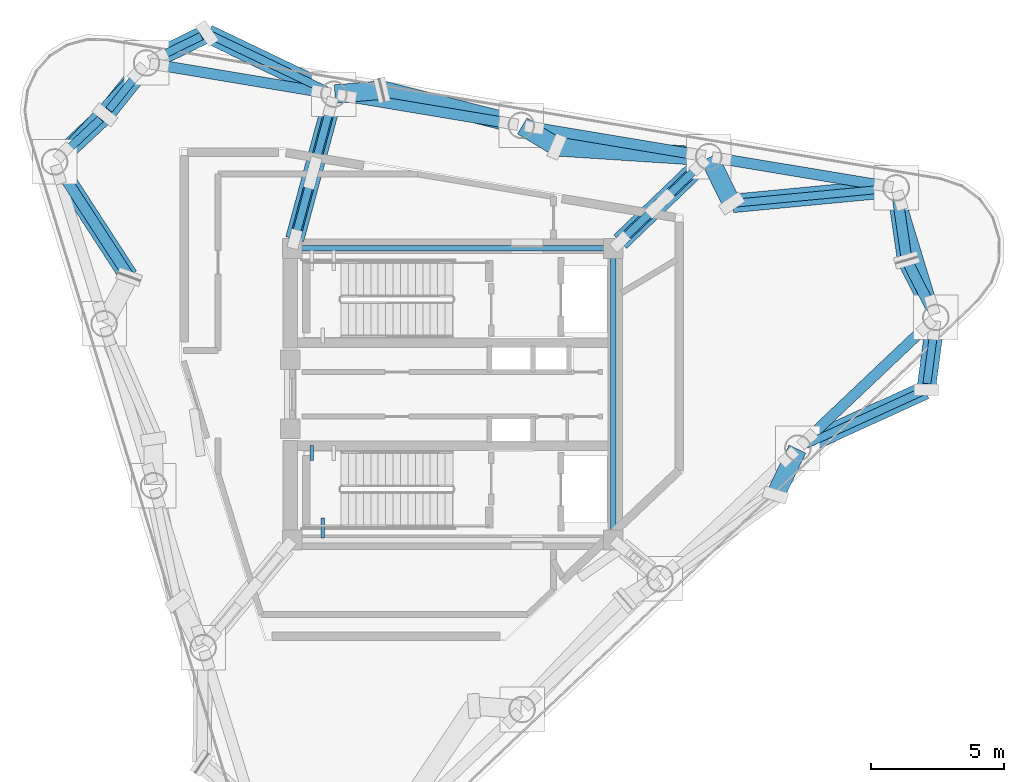
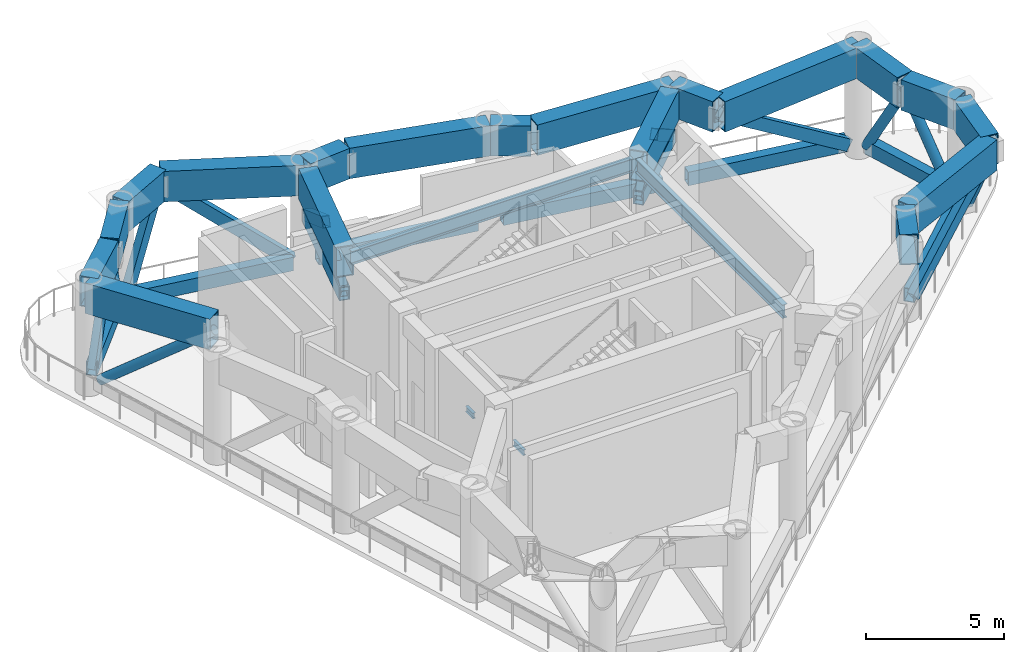
# One storey, part 2 of 9: 23 members, 22 beams.
"""IFC4 building model written with IfcOpenShell, lengths in metres."""

from ifc_helpers import new_model, si_unit, direction, frame, origin, origin_2d, place, context, subcontext, project, spatial, hollow_rectangle, hollow_circle, i_section, extrude, source, transform, mapped, material, material_profile, profile_set, type_object, element, save


model = new_model("IFC4")

# Units and contexts
model_context = context("Model", 3, precision=1e-05, world=origin(), true_north=direction((0.0, 1.0)))
body_context = subcontext(model_context, "Body", "Model", "MODEL_VIEW")
ifc_project = project(units=[si_unit("LENGTHUNIT", "METRE"), si_unit("AREAUNIT", "SQUARE_METRE"), si_unit("VOLUMEUNIT", "CUBIC_METRE"), si_unit("PLANEANGLEUNIT", "RADIAN"), si_unit("MASSUNIT", "GRAM", prefix="KILO")], contexts=[model_context])

# Site, building, storey
site_placement = place(None, origin())
site = spatial("IfcSite", under=ifc_project, at=site_placement, CompositionType="ELEMENT")
building_placement = place(site_placement, origin())
building = spatial("IfcBuilding", under=site, at=building_placement, Name="Yunling Apex Tower", CompositionType="ELEMENT")
storey_placement = place(building_placement, frame((0.0, 0.0, 252.449951171875)))
storey = spatial("IfcBuildingStorey", under=building, at=storey_placement, Name="RF7", CompositionType="ELEMENT", Elevation=252.449951171875)

# Beams
ifc_material_1 = material(Name="Steel Q355B", Category="steel")
ifc_material_profile_1 = material_profile(ifc_material_1, i_section(OverallWidth=0.125, OverallDepth=0.25, WebThickness=0.006103515625, FlangeThickness=0.009033203125, FilletRadius=0.011962890625, at=origin_2d()))
ifc_profile_set_1 = profile_set([ifc_material_profile_1], Name="Steel Q355B")
beam_type_1 = type_object("IfcBeamType", Name="BL-LNT-1", PredefinedType="LINTEL", material=ifc_profile_set_1)
shared_shape_1 = source(origin(), body_context, "Body", "SweptSolid", [
    extrude(i_section(OverallWidth=0.125, OverallDepth=0.25, WebThickness=0.006103515625, FlangeThickness=0.009033203125, FilletRadius=0.011962890625, at=origin_2d()), origin(), (0.0, 0.0, 1.0), 0.760009765625),
])
beam_1_placement = place(storey_placement, frame((-4.905029296875, -5.419921875, 2.22998046875), z_axis=(0.0, 1.0, 0.0), x_axis=(-1.0, 0.0, 0.0)))
element("IfcBeam", 1, at=beam_1_placement, inside=storey, type_object=beam_type_1, Name="RF7 ST-2 Landing Bearing Corbel 1-3", PredefinedType="LINTEL", context=body_context, shape_type="MappedRepresentation", body=[
    mapped(shared_shape_1, transform((0.0, 0.0, 0.0), scale=1.0)),
])
shared_shape_2 = source(origin(), body_context, "Body", "SweptSolid", [
    extrude(i_section(OverallWidth=0.125, OverallDepth=0.25, WebThickness=0.006103515625, FlangeThickness=0.009033203125, FilletRadius=0.011962890625, at=origin_2d()), origin(), (0.0, 0.0, 1.0), 0.550048828125),
])
beam_2_placement = place(storey_placement, frame((-5.320068359375, -1.93994140625, 2.22998046875), z_axis=(0.0, -1.0, 0.0), x_axis=(1.0, 0.0, 0.0)))
element("IfcBeam", 2, at=beam_2_placement, inside=storey, type_object=beam_type_1, Name="RF7 ST-2 Landing Bearing Corbel 1-1", PredefinedType="LINTEL", context=body_context, shape_type="MappedRepresentation", body=[
    mapped(shared_shape_2, transform((0.0, 0.0, 0.0), scale=1.0)),
])
ifc_material_profile_2 = material_profile(ifc_material_1, i_section(OverallWidth=0.199951171875, OverallDepth=0.60009765625, WebThickness=0.010986328125, FlangeThickness=0.01708984375, FilletRadius=0.02197265625, at=origin_2d()))
ifc_profile_set_2 = profile_set([ifc_material_profile_2], Name="Steel Q355B")
beam_type_2 = type_object("IfcBeamType", Name="BG-PRI-5", PredefinedType="USERDEFINED", material=ifc_profile_set_2)
shared_shape_3 = source(origin(), body_context, "Body", "SweptSolid", [
    extrude(i_section(OverallWidth=0.199951171875, OverallDepth=0.60009765625, WebThickness=0.010986328125, FlangeThickness=0.01708984375, FilletRadius=0.02197265625, at=origin_2d()), origin(), (0.0, 0.0, 1.0), 11.7998046875),
])
beam_3_placement = place(storey_placement, frame((5.89990234375, 5.5, 4.6201171875), z_axis=(-1.0, 0.0, 0.0), x_axis=(0.0, -1.0, 0.0)))
element("IfcBeam", 3, at=beam_3_placement, inside=storey, type_object=beam_type_2, Name="RF7 Core Ring Tie Beam 3", ObjectType="GIRDER", PredefinedType="USERDEFINED", context=body_context, shape_type="MappedRepresentation", body=[
    mapped(shared_shape_3, transform((0.0, 0.0, 0.0), scale=1.0)),
])
shared_shape_4 = source(origin(), body_context, "Body", "SweptSolid", [
    extrude(i_section(OverallWidth=0.199951171875, OverallDepth=0.60009765625, WebThickness=0.010986328125, FlangeThickness=0.01708984375, FilletRadius=0.02197265625, at=origin_2d()), origin(), (0.0, 0.0, 1.0), 10.7001953125),
])
beam_4_placement = place(storey_placement, frame((6.050048828125, -5.35009765625, 4.6201171875), z_axis=(0.0, 1.0, 0.0), x_axis=(-1.0, 0.0, 0.0)))
element("IfcBeam", 4, at=beam_4_placement, inside=storey, type_object=beam_type_2, Name="RF7 Core Ring Tie Beam 2", ObjectType="GIRDER", PredefinedType="USERDEFINED", context=body_context, shape_type="MappedRepresentation", body=[
    mapped(shared_shape_4, transform((0.0, 0.0, 0.0), scale=1.0)),
])

# Members
ifc_material_profile_3 = material_profile(ifc_material_1, hollow_rectangle(XDim=0.39990234375, YDim=0.60009765625, WallThickness=0.030029296875, at=origin_2d()))
ifc_profile_set_3 = profile_set([ifc_material_profile_3], Name="Steel Q355B")
member_type_1 = type_object("IfcMemberType", Name="BT-CHD-2", PredefinedType="CHORD", material=ifc_profile_set_3)
shared_shape_5 = source(origin(), body_context, "Body", "SweptSolid", [
    extrude(hollow_rectangle(XDim=0.39990234375, YDim=0.60009765625, WallThickness=0.030029296875, at=origin_2d()), origin(), (0.0, 0.0, 1.0), 6.177490234375),
])
for number, where, z_axis, x_axis, name in (
    (5, (13.3642578125, -1.691650390625, 0.550048828125), (0.725841554244, 0.687861932463, 0.0), (-0.687861932463, 0.725841554244, 0.0), "RF7 Belt-Truss Bottom Chord 4"),
    (6, (-4.965087890625, 11.3916015625, 0.550048828125), (-0.986405670812, 0.164328489893, 0.0), (-0.164328489893, -0.986405670812, 0.0), "RF7 Belt-Truss Bottom Chord 9"),
):
    element("IfcMember", number, at=place(storey_placement, frame(where, z_axis=z_axis, x_axis=x_axis)), inside=storey, type_object=member_type_1, Name=name, PredefinedType="CHORD", context=body_context, shape_type="MappedRepresentation", body=[
        mapped(shared_shape_5, transform((0.0, 0.0, 0.0), scale=1.0)),
    ])
shared_shape_6 = source(origin(), body_context, "Body", "SweptSolid", [
    extrude(hollow_rectangle(XDim=0.39990234375, YDim=0.60009765625, WallThickness=0.030029296875, at=origin_2d()), origin(), (0.0, 0.0, 1.0), 6.17724609375),
])
for number, where, z_axis, x_axis, name in (
    (7, (16.226806640625, 7.8603515625, 0.550048828125), (-0.986404603529, 0.164334896285, 0.0), (-0.164334896285, -0.986404603529, 0.0), "RF7 Belt-Truss Bottom Chord 6"),
    (8, (9.162841796875, 9.037353515625, 0.550048828125), (-0.986404603529, 0.164334896285, 0.0), (-0.164334896285, -0.986404603529, 0.0), "RF7 Belt-Truss Bottom Chord 7"),
    (9, (2.098876953125, 10.21435546875, 0.550048828125), (-0.986398196183, 0.164373351147, 0.0), (-0.164373351147, -0.986398196183, 0.0), "RF7 Belt-Truss Bottom Chord 8"),
):
    element("IfcMember", number, at=place(storey_placement, frame(where, z_axis=z_axis, x_axis=x_axis)), inside=storey, type_object=member_type_1, Name=name, PredefinedType="CHORD", context=body_context, shape_type="MappedRepresentation", body=[
        mapped(shared_shape_6, transform((0.0, 0.0, 0.0), scale=1.0)),
    ])
shared_shape_7 = source(origin(), body_context, "Body", "SweptSolid", [
    extrude(hollow_rectangle(XDim=0.39990234375, YDim=0.60009765625, WallThickness=0.030029296875, at=origin_2d()), origin(), (0.0, 0.0, 1.0), 4.12255859375),
])
member_1_placement = place(storey_placement, frame((18.061279296875, 3.366455078125, 0.550048828125), z_axis=(-0.292320845838, 0.956320303606, 0.0), x_axis=(-0.956320303606, -0.292320845838, 0.0)))
element("IfcMember", 10, at=member_1_placement, inside=storey, type_object=member_type_1, Name="RF7 Belt-Truss Bottom Chord 5", PredefinedType="CHORD", context=body_context, shape_type="MappedRepresentation", body=[
    mapped(shared_shape_7, transform((0.0, 0.0, 0.0), scale=1.0)),
])
shared_shape_8 = source(origin(), body_context, "Body", "SweptSolid", [
    extrude(hollow_rectangle(XDim=0.39990234375, YDim=0.60009765625, WallThickness=0.030029296875, at=origin_2d()), origin(), (0.0, 0.0, 1.0), 4.10546875),
])
member_2_placement = place(storey_placement, frame((-11.878662109375, 12.127197265625, 0.550048828125), z_axis=(-0.680549174364, -0.732702409763, 0.0), x_axis=(0.732702409763, -0.680549174364, 0.0)))
element("IfcMember", 11, at=member_2_placement, inside=storey, type_object=member_type_1, Name="RF7 Belt-Truss Bottom Chord 10", PredefinedType="CHORD", context=body_context, shape_type="MappedRepresentation", body=[
    mapped(shared_shape_8, transform((0.0, 0.0, 0.0), scale=1.0)),
])

# Beams
ifc_material_2 = material(Name="Steel Q390GJC", Category="steel")
ifc_material_profile_4 = material_profile(ifc_material_2, hollow_rectangle(XDim=0.699951171875, YDim=1.35009765625, WallThickness=0.044921875, at=origin_2d()))
ifc_profile_set_4 = profile_set([ifc_material_profile_4], Name="Steel Q390GJC")
beam_type_3 = type_object("IfcBeamType", Name="BTRNG-2", PredefinedType="USERDEFINED", material=ifc_profile_set_4)
shared_shape_9 = source(origin(), body_context, "Body", "SweptSolid", [
    extrude(hollow_rectangle(XDim=0.699951171875, YDim=1.35009765625, WallThickness=0.044921875, at=origin_2d()), origin(), (0.0, 0.0, 1.0), 1.883544921875),
])
beam_5_placement = place(storey_placement, frame((12.176025390625, -3.764892578125, 4.2451171875), z_axis=(0.432010371871, 0.901868637106, 0.0), x_axis=(-0.901868637106, 0.432010371871, 0.0)))
element("IfcBeam", 12, at=beam_5_placement, inside=storey, type_object=beam_type_3, Name="RF7 Panel-Split Box Ring Transfer Girder 13", ObjectType="GIRDER", PredefinedType="USERDEFINED", context=body_context, shape_type="MappedRepresentation", body=[
    mapped(shared_shape_9, transform((0.0, 0.0, 0.0), scale=1.0)),
])
shared_shape_10 = source(origin(), body_context, "Body", "SweptSolid", [
    extrude(hollow_rectangle(XDim=0.699951171875, YDim=1.35009765625, WallThickness=0.044921875, at=origin_2d()), origin(), (0.0, 0.0, 1.0), 5.230224609375),
])
beam_6_placement = place(storey_placement, frame((13.04345703125, -2.013427734375, 4.2451171875), z_axis=(0.910064096749, 0.414467537702, 0.0), x_axis=(-0.414467537702, 0.910064096749, 0.0)))
element("IfcBeam", 13, at=beam_6_placement, inside=storey, type_object=beam_type_3, Name="RF7 Panel-Split Box Ring Transfer Girder 14", ObjectType="GIRDER", PredefinedType="USERDEFINED", context=body_context, shape_type="MappedRepresentation", body=[
    mapped(shared_shape_10, transform((0.0, 0.0, 0.0), scale=1.0)),
])
shared_shape_11 = source(origin(), body_context, "Body", "SweptSolid", [
    extrude(hollow_rectangle(XDim=0.699951171875, YDim=1.35009765625, WallThickness=0.044921875, at=origin_2d()), origin(), (0.0, 0.0, 1.0), 2.66943359375),
])
beam_7_placement = place(storey_placement, frame((17.844970703125, 0.21044921875, 4.2451171875), z_axis=(0.13297840109, 0.991118935771, 0.0), x_axis=(-0.991118935771, 0.13297840109, 0.0)))
element("IfcBeam", 14, at=beam_7_placement, inside=storey, type_object=beam_type_3, Name="RF7 Panel-Split Box Ring Transfer Girder 15", ObjectType="GIRDER", PredefinedType="USERDEFINED", context=body_context, shape_type="MappedRepresentation", body=[
    mapped(shared_shape_11, transform((0.0, 0.0, 0.0), scale=1.0)),
])
shared_shape_12 = source(origin(), body_context, "Body", "SweptSolid", [
    extrude(hollow_rectangle(XDim=0.699951171875, YDim=1.35009765625, WallThickness=0.044921875, at=origin_2d()), origin(), (0.0, 0.0, 1.0), 2.33837890625),
])
beam_8_placement = place(storey_placement, frame((18.187255859375, 2.931640625, 4.2451171875), z_axis=(-0.452800906115, 0.891611652807, 0.0), x_axis=(-0.891611652807, -0.452800906115, 0.0)))
element("IfcBeam", 15, at=beam_8_placement, inside=storey, type_object=beam_type_3, Name="RF7 Panel-Split Box Ring Transfer Girder 16", ObjectType="GIRDER", PredefinedType="USERDEFINED", context=body_context, shape_type="MappedRepresentation", body=[
    mapped(shared_shape_12, transform((0.0, 0.0, 0.0), scale=1.0)),
])
shared_shape_13 = source(origin(), body_context, "Body", "SweptSolid", [
    extrude(hollow_rectangle(XDim=0.699951171875, YDim=1.35009765625, WallThickness=0.044921875, at=origin_2d()), origin(), (0.0, 0.0, 1.0), 2.67578125),
])
beam_9_placement = place(storey_placement, frame((17.1044921875, 5.092041015625, 4.2451171875), z_axis=(-0.144435320204, 0.989514243595, 0.0), x_axis=(-0.989514243595, -0.144435320204, 0.0)))
element("IfcBeam", 16, at=beam_9_placement, inside=storey, type_object=beam_type_3, Name="RF7 Panel-Split Box Ring Transfer Girder 17", ObjectType="GIRDER", PredefinedType="USERDEFINED", context=body_context, shape_type="MappedRepresentation", body=[
    mapped(shared_shape_13, transform((0.0, 0.0, 0.0), scale=1.0)),
])
shared_shape_14 = source(origin(), body_context, "Body", "SweptSolid", [
    extrude(hollow_rectangle(XDim=0.699951171875, YDim=1.35009765625, WallThickness=0.044921875, at=origin_2d()), origin(), (0.0, 0.0, 1.0), 6.14404296875),
])
beam_10_placement = place(storey_placement, frame((16.67236328125, 7.775634765625, 4.2451171875), z_axis=(-0.995502970184, -0.094730334927, 0.0), x_axis=(0.094730334927, -0.995502970184, 0.0)))
element("IfcBeam", 17, at=beam_10_placement, inside=storey, type_object=beam_type_3, Name="RF7 Panel-Split Box Ring Transfer Girder 18", ObjectType="GIRDER", PredefinedType="USERDEFINED", context=body_context, shape_type="MappedRepresentation", body=[
    mapped(shared_shape_14, transform((0.0, 0.0, 0.0), scale=1.0)),
])
shared_shape_15 = source(origin(), body_context, "Body", "SweptSolid", [
    extrude(hollow_rectangle(XDim=0.699951171875, YDim=1.35009765625, WallThickness=0.044921875, at=origin_2d()), origin(), (0.0, 0.0, 1.0), 1.888427734375),
])
beam_11_placement = place(storey_placement, frame((10.49853515625, 7.225830078125, 4.2451171875), z_axis=(-0.440997067595, 0.8975085439, 0.0), x_axis=(-0.8975085439, -0.440997067595, 0.0)))
element("IfcBeam", 18, at=beam_11_placement, inside=storey, type_object=beam_type_3, Name="RF7 Panel-Split Box Ring Transfer Girder 19", ObjectType="GIRDER", PredefinedType="USERDEFINED", context=body_context, shape_type="MappedRepresentation", body=[
    mapped(shared_shape_15, transform((0.0, 0.0, 0.0), scale=1.0)),
])
shared_shape_16 = source(origin(), body_context, "Body", "SweptSolid", [
    extrude(hollow_rectangle(XDim=0.699951171875, YDim=1.35009765625, WallThickness=0.044921875, at=origin_2d()), origin(), (0.0, 0.0, 1.0), 5.657958984375),
])
beam_12_placement = place(storey_placement, frame((9.6083984375, 8.958984375, 4.2451171875), z_axis=(-0.997908821596, 0.064637324977, 0.0), x_axis=(-0.064637324977, -0.997908821596, 0.0)))
element("IfcBeam", 19, at=beam_12_placement, inside=storey, type_object=beam_type_3, Name="RF7 Panel-Split Box Ring Transfer Girder 20", ObjectType="GIRDER", PredefinedType="USERDEFINED", context=body_context, shape_type="MappedRepresentation", body=[
    mapped(shared_shape_16, transform((0.0, 0.0, 0.0), scale=1.0)),
])
shared_shape_17 = source(origin(), body_context, "Body", "SweptSolid", [
    extrude(hollow_rectangle(XDim=0.699951171875, YDim=1.35009765625, WallThickness=0.044921875, at=origin_2d()), origin(), (0.0, 0.0, 1.0), 1.482177734375),
])
beam_13_placement = place(storey_placement, frame((3.887939453125, 9.347900390625, 4.2451171875), z_axis=(-0.856546759435, 0.51606942256, 0.0), x_axis=(-0.51606942256, -0.856546759435, 0.0)))
element("IfcBeam", 20, at=beam_13_placement, inside=storey, type_object=beam_type_3, Name="RF7 Panel-Split Box Ring Transfer Girder 21", ObjectType="GIRDER", PredefinedType="USERDEFINED", context=body_context, shape_type="MappedRepresentation", body=[
    mapped(shared_shape_17, transform((0.0, 0.0, 0.0), scale=1.0)),
])
shared_shape_18 = source(origin(), body_context, "Body", "SweptSolid", [
    extrude(hollow_rectangle(XDim=0.699951171875, YDim=1.35009765625, WallThickness=0.044921875, at=origin_2d()), origin(), (0.0, 0.0, 1.0), 5.341796875),
])
beam_14_placement = place(storey_placement, frame((2.54541015625, 10.143310546875, 4.2451171875), z_axis=(-0.969379613356, 0.245567027938, 0.0), x_axis=(-0.245567027938, -0.969379613356, 0.0)))
element("IfcBeam", 21, at=beam_14_placement, inside=storey, type_object=beam_type_3, Name="RF7 Panel-Split Box Ring Transfer Girder 22", ObjectType="GIRDER", PredefinedType="USERDEFINED", context=body_context, shape_type="MappedRepresentation", body=[
    mapped(shared_shape_18, transform((0.0, 0.0, 0.0), scale=1.0)),
])
shared_shape_19 = source(origin(), body_context, "Body", "SweptSolid", [
    extrude(hollow_rectangle(XDim=0.699951171875, YDim=1.35009765625, WallThickness=0.044921875, at=origin_2d()), origin(), (0.0, 0.0, 1.0), 1.734619140625),
])
beam_15_placement = place(storey_placement, frame((-2.711669921875, 11.46142578125, 4.2451171875), z_axis=(-0.996379765591, -0.08501389722, 0.0), x_axis=(0.08501389722, -0.996379765591, 0.0)))
element("IfcBeam", 22, at=beam_15_placement, inside=storey, type_object=beam_type_3, Name="RF7 Panel-Split Box Ring Transfer Girder 23", ObjectType="GIRDER", PredefinedType="USERDEFINED", context=body_context, shape_type="MappedRepresentation", body=[
    mapped(shared_shape_19, transform((0.0, 0.0, 0.0), scale=1.0)),
])
shared_shape_20 = source(origin(), body_context, "Body", "SweptSolid", [
    extrude(hollow_rectangle(XDim=0.699951171875, YDim=1.35009765625, WallThickness=0.044921875, at=origin_2d()), origin(), (0.0, 0.0, 1.0), 5.22607421875),
])
beam_16_placement = place(storey_placement, frame((-4.515869140625, 11.327880859375, 4.2451171875), z_axis=(-0.901930155128, 0.431881922834, 0.0), x_axis=(-0.431881922834, -0.901930155128, 0.0)))
element("IfcBeam", 23, at=beam_16_placement, inside=storey, type_object=beam_type_3, Name="RF7 Panel-Split Box Ring Transfer Girder 24", ObjectType="GIRDER", PredefinedType="USERDEFINED", context=body_context, shape_type="MappedRepresentation", body=[
    mapped(shared_shape_20, transform((0.0, 0.0, 0.0), scale=1.0)),
])
shared_shape_21 = source(origin(), body_context, "Body", "SweptSolid", [
    extrude(hollow_rectangle(XDim=0.699951171875, YDim=1.35009765625, WallThickness=0.044921875, at=origin_2d()), origin(), (0.0, 0.0, 1.0), 2.456298828125),
])
beam_17_placement = place(storey_placement, frame((-9.301513671875, 13.584716796875, 4.2451171875), z_axis=(-0.898230915652, -0.439523858472, 0.0), x_axis=(0.439523858472, -0.898230915652, 0.0)))
element("IfcBeam", 24, at=beam_17_placement, inside=storey, type_object=beam_type_3, Name="RF7 Panel-Split Box Ring Transfer Girder 25", ObjectType="GIRDER", PredefinedType="USERDEFINED", context=body_context, shape_type="MappedRepresentation", body=[
    mapped(shared_shape_21, transform((0.0, 0.0, 0.0), scale=1.0)),
])
shared_shape_22 = source(origin(), body_context, "Body", "SweptSolid", [
    extrude(hollow_rectangle(XDim=0.699951171875, YDim=1.35009765625, WallThickness=0.044921875, at=origin_2d()), origin(), (0.0, 0.0, 1.0), 2.4248046875),
])
beam_18_placement = place(storey_placement, frame((-11.56884765625, 12.456298828125, 4.2451171875), z_axis=(-0.625149249349, -0.780505231269, 0.0), x_axis=(0.780505231269, -0.625149249349, 0.0)))
element("IfcBeam", 25, at=beam_18_placement, inside=storey, type_object=beam_type_3, Name="RF7 Panel-Split Box Ring Transfer Girder 26", ObjectType="GIRDER", PredefinedType="USERDEFINED", context=body_context, shape_type="MappedRepresentation", body=[
    mapped(shared_shape_22, transform((0.0, 0.0, 0.0), scale=1.0)),
])
shared_shape_23 = source(origin(), body_context, "Body", "SweptSolid", [
    extrude(hollow_rectangle(XDim=0.699951171875, YDim=1.35009765625, WallThickness=0.044921875, at=origin_2d()), origin(), (0.0, 0.0, 1.0), 2.517822265625),
])
beam_19_placement = place(storey_placement, frame((-13.138916015625, 10.505126953125, 4.2451171875), z_axis=(-0.73055848684, -0.682850127997, 0.0), x_axis=(0.682850127997, -0.73055848684, 0.0)))
element("IfcBeam", 26, at=beam_19_placement, inside=storey, type_object=beam_type_3, Name="RF7 Panel-Split Box Ring Transfer Girder 27", ObjectType="GIRDER", PredefinedType="USERDEFINED", context=body_context, shape_type="MappedRepresentation", body=[
    mapped(shared_shape_23, transform((0.0, 0.0, 0.0), scale=1.0)),
])
shared_shape_24 = source(origin(), body_context, "Body", "SweptSolid", [
    extrude(hollow_rectangle(XDim=0.699951171875, YDim=1.35009765625, WallThickness=0.044921875, at=origin_2d()), origin(), (0.0, 0.0, 1.0), 5.0869140625),
])
beam_20_placement = place(storey_placement, frame((-14.985595703125, 8.72509765625, 4.2451171875), z_axis=(0.543955534243, -0.839114042766, 0.0), x_axis=(0.839114042766, 0.543955534243, 0.0)))
element("IfcBeam", 27, at=beam_20_placement, inside=storey, type_object=beam_type_3, Name="RF7 Panel-Split Box Ring Transfer Girder 28", ObjectType="GIRDER", PredefinedType="USERDEFINED", context=body_context, shape_type="MappedRepresentation", body=[
    mapped(shared_shape_24, transform((0.0, 0.0, 0.0), scale=1.0)),
])

# Members
ifc_material_profile_5 = material_profile(ifc_material_1, hollow_rectangle(XDim=0.300048828125, YDim=0.5, WallThickness=0.02197265625, at=origin_2d()))
ifc_profile_set_5 = profile_set([ifc_material_profile_5], Name="Steel Q355B")
member_type_2 = type_object("IfcMemberType", Name="BR-BLT-2", PredefinedType="BRACE", material=ifc_profile_set_5)
shared_shape_25 = source(origin(), body_context, "Body", "SweptSolid", [
    extrude(hollow_rectangle(XDim=0.300048828125, YDim=0.5, WallThickness=0.02197265625, at=origin_2d()), origin(), (0.0, 0.0, 1.0), 4.32080078125),
])
member_3_placement = place(storey_placement, frame((18.14013671875, 2.410400390625, 0.550048828125), z_axis=(-0.068934135436, -0.513728819167, 0.855178803134), x_axis=(0.991117116742, -0.132991958032, 0.0)))
element("IfcMember", 28, at=member_3_placement, inside=storey, type_object=member_type_2, Name="RF7 Belt-Truss Diagonal 5-1", PredefinedType="BRACE", context=body_context, shape_type="MappedRepresentation", body=[
    mapped(shared_shape_25, transform((0.0, 0.0, 0.0), scale=1.0)),
])
shared_shape_26 = source(origin(), body_context, "Body", "SweptSolid", [
    extrude(hollow_rectangle(XDim=0.300048828125, YDim=0.5, WallThickness=0.02197265625, at=origin_2d()), origin(), (0.0, 0.0, 1.0), 6.057861328125),
])
member_4_placement = place(storey_placement, frame((13.452880859375, -1.826904296875, 0.550048828125), z_axis=(0.72116319841, 0.328420638417, 0.609970102153), x_axis=(-0.414450421657, 0.910071891659, 0.0)))
element("IfcMember", 29, at=member_4_placement, inside=storey, type_object=member_type_2, Name="RF7 Belt-Truss Diagonal 5-2", PredefinedType="BRACE", context=body_context, shape_type="MappedRepresentation", body=[
    mapped(shared_shape_26, transform((0.0, 0.0, 0.0), scale=1.0)),
])
ifc_material_profile_6 = material_profile(ifc_material_1, hollow_circle(Radius=0.202880859375, WallThickness=0.01611328125, at=origin_2d()))
ifc_profile_set_6 = profile_set([ifc_material_profile_6], Name="Steel Q355B")
member_type_3 = type_object("IfcMemberType", Name="BR-PER-3", PredefinedType="BRACE", material=ifc_profile_set_6)
shared_shape_27 = source(origin(), body_context, "Body", "SweptSolid", [
    extrude(hollow_circle(Radius=0.202880859375, WallThickness=0.01611328125, at=origin_2d()), origin(), (0.0, 0.0, 1.0), 4.158935546875),
])
member_5_placement = place(storey_placement, frame((17.9833984375, 3.332763671875, 0.550048828125), z_axis=(-0.207750054808, 0.409218884449, 0.888470494354), x_axis=(-0.89167312384, -0.452679842959, 0.0)))
element("IfcMember", 30, at=member_5_placement, inside=storey, type_object=member_type_3, Name="RF7 Belt-Truss Diagonal 6-1", PredefinedType="BRACE", context=body_context, shape_type="MappedRepresentation", body=[
    mapped(shared_shape_27, transform((0.0, 0.0, 0.0), scale=1.0)),
])
shared_shape_28 = source(origin(), body_context, "Body", "SweptSolid", [
    extrude(hollow_circle(Radius=0.202880859375, WallThickness=0.01611328125, at=origin_2d()), origin(), (0.0, 0.0, 1.0), 4.323974609375),
])
member_6_placement = place(storey_placement, frame((16.782958984375, 7.29443359375, 0.550048828125), z_axis=(0.075037950555, -0.513916799062, 0.854551829685), x_axis=(0.989507739672, 0.14447987102, 0.0)))
element("IfcMember", 31, at=member_6_placement, inside=storey, type_object=member_type_3, Name="RF7 Belt-Truss Diagonal 6-2", PredefinedType="BRACE", context=body_context, shape_type="MappedRepresentation", body=[
    mapped(shared_shape_28, transform((0.0, 0.0, 0.0), scale=1.0)),
])
shared_shape_29 = source(origin(), body_context, "Body", "SweptSolid", [
    extrude(hollow_rectangle(XDim=0.300048828125, YDim=0.5, WallThickness=0.02197265625, at=origin_2d()), origin(), (0.0, 0.0, 1.0), 6.8046875),
])
member_7_placement = place(storey_placement, frame((16.224365234375, 7.73291015625, 0.550048828125), z_axis=(-0.835942574321, -0.079507650315, 0.54302720556), x_axis=(0.094684078018, -0.995507370826, 0.0)))
element("IfcMember", 32, at=member_7_placement, inside=storey, type_object=member_type_2, Name="RF7 Belt-Truss Diagonal 7-1", PredefinedType="BRACE", context=body_context, shape_type="MappedRepresentation", body=[
    mapped(shared_shape_29, transform((0.0, 0.0, 0.0), scale=1.0)),
])
shared_shape_30 = source(origin(), body_context, "Body", "SweptSolid", [
    extrude(hollow_rectangle(XDim=0.300048828125, YDim=0.5, WallThickness=0.02197265625, at=origin_2d()), origin(), (0.0, 0.0, 1.0), 4.214111328125),
])
member_8_placement = place(storey_placement, frame((-11.103759765625, 12.702880859375, 0.550048828125), z_axis=(0.431890502982, 0.211339578119, 0.8768159306), x_axis=(-0.439534249668, 0.898225830941, 0.0)))
element("IfcMember", 33, at=member_8_placement, inside=storey, type_object=member_type_2, Name="RF7 Belt-Truss Diagonal 10-1", PredefinedType="BRACE", context=body_context, shape_type="MappedRepresentation", body=[
    mapped(shared_shape_30, transform((0.0, 0.0, 0.0), scale=1.0)),
])
shared_shape_31 = source(origin(), body_context, "Body", "SweptSolid", [
    extrude(hollow_rectangle(XDim=0.300048828125, YDim=0.5, WallThickness=0.02197265625, at=origin_2d()), origin(), (0.0, 0.0, 1.0), 6.054443359375),
])
member_9_placement = place(storey_placement, frame((-4.921630859375, 11.522216796875, 0.550048828125), z_axis=(-0.714493556326, 0.342105272976, 0.610297419436), x_axis=(-0.431857114704, -0.90194203388, 0.0)))
element("IfcMember", 34, at=member_9_placement, inside=storey, type_object=member_type_2, Name="RF7 Belt-Truss Diagonal 10-2", PredefinedType="BRACE", context=body_context, shape_type="MappedRepresentation", body=[
    mapped(shared_shape_31, transform((0.0, 0.0, 0.0), scale=1.0)),
])
shared_shape_32 = source(origin(), body_context, "Body", "SweptSolid", [
    extrude(hollow_rectangle(XDim=0.300048828125, YDim=0.5, WallThickness=0.02197265625, at=origin_2d()), origin(), (0.0, 0.0, 1.0), 4.19921875),
])
member_10_placement = place(storey_placement, frame((-11.85009765625, 12.10498046875, 0.550048828125), z_axis=(-0.297036773842, -0.370758173183, 0.879947459797), x_axis=(0.780426846811, -0.625247100574, 0.0)))
element("IfcMember", 35, at=member_10_placement, inside=storey, type_object=member_type_2, Name="RF7 Belt-Truss Diagonal 11-1", PredefinedType="BRACE", context=body_context, shape_type="MappedRepresentation", body=[
    mapped(shared_shape_32, transform((0.0, 0.0, 0.0), scale=1.0)),
])
shared_shape_33 = source(origin(), body_context, "Body", "SweptSolid", [
    extrude(hollow_rectangle(XDim=0.300048828125, YDim=0.5, WallThickness=0.02197265625, at=origin_2d()), origin(), (0.0, 0.0, 1.0), 4.243896484375),
])
member_11_placement = place(storey_placement, frame((-14.6494140625, 9.09326171875, 0.550048828125), z_axis=(0.359313022392, 0.335899573767, 0.870669643598), x_axis=(-0.682905587613, 0.730506645013, 0.0)))
element("IfcMember", 36, at=member_11_placement, inside=storey, type_object=member_type_2, Name="RF7 Belt-Truss Diagonal 11-2", PredefinedType="BRACE", context=body_context, shape_type="MappedRepresentation", body=[
    mapped(shared_shape_33, transform((0.0, 0.0, 0.0), scale=1.0)),
])
shared_shape_34 = source(origin(), body_context, "Body", "SweptSolid", [
    extrude(hollow_circle(Radius=0.202880859375, WallThickness=0.01611328125, at=origin_2d()), origin(), (0.0, 0.0, 1.0), 5.94482421875),
])
member_12_placement = place(storey_placement, frame((-14.740966796875, 8.347412109375, 0.550048828125), z_axis=(0.42615301653, -0.657319570453, 0.621550149869), x_axis=(0.839087403854, 0.543996625627, 0.0)))
element("IfcMember", 37, at=member_12_placement, inside=storey, type_object=member_type_3, Name="RF7 Belt-Truss Diagonal 12-1", PredefinedType="BRACE", context=body_context, shape_type="MappedRepresentation", body=[
    mapped(shared_shape_34, transform((0.0, 0.0, 0.0), scale=1.0)),
])

# Beam
shared_shape_35 = source(origin(), body_context, "Body", "SweptSolid", [
    extrude(hollow_rectangle(XDim=0.699951171875, YDim=1.35009765625, WallThickness=0.044921875, at=origin_2d()), origin(), (0.0, 0.0, 1.0), 4.139404296875),
])
beam_21_placement = place(storey_placement, frame((6.3095703125, 5.74951171875, 4.2451171875), z_axis=(0.721206968167, 0.692719646804, 0.0), x_axis=(-0.692719646804, 0.721206968167, 0.0)))
element("IfcBeam", 38, at=beam_21_placement, inside=storey, type_object=beam_type_3, Name="RF7 Radial Outrigger Top Girder 3", ObjectType="GIRDER", PredefinedType="USERDEFINED", context=body_context, shape_type="MappedRepresentation", body=[
    mapped(shared_shape_35, transform((0.0, 0.0, 0.0), scale=1.0)),
])

# Members
shared_shape_36 = source(origin(), body_context, "Body", "SweptSolid", [
    extrude(hollow_rectangle(XDim=0.39990234375, YDim=0.60009765625, WallThickness=0.030029296875, at=origin_2d()), origin(), (0.0, 0.0, 1.0), 4.139404296875),
])
member_13_placement = place(storey_placement, frame((6.3095703125, 5.74951171875, 2.820068359375), z_axis=(0.721206968167, 0.692719646804, 0.0), x_axis=(-0.692719646804, 0.721206968167, 0.0)))
element("IfcMember", 39, at=member_13_placement, inside=storey, type_object=member_type_1, Name="RF7 Radial Outrigger Lower Chord 3", PredefinedType="CHORD", context=body_context, shape_type="MappedRepresentation", body=[
    mapped(shared_shape_36, transform((0.0, 0.0, 0.0), scale=1.0)),
])
ifc_material_profile_7 = material_profile(ifc_material_1, hollow_rectangle(XDim=0.300048828125, YDim=0.449951171875, WallThickness=0.02001953125, at=origin_2d()))
ifc_profile_set_7 = profile_set([ifc_material_profile_7], Name="Steel Q355B")
member_type_4 = type_object("IfcMemberType", Name="BR-OUT-2", PredefinedType="BRACE", material=ifc_profile_set_7)
shared_shape_37 = source(origin(), body_context, "Body", "SweptSolid", [
    extrude(hollow_rectangle(XDim=0.300048828125, YDim=0.449951171875, WallThickness=0.02001953125, at=origin_2d()), origin(), (0.0, 0.0, 1.0), 2.5126953125),
])
member_14_placement = place(storey_placement, frame((6.3095703125, 5.74951171875, 2.820068359375), z_axis=(0.594034889257, 0.570522222721, 0.567121630453), x_axis=(-0.692688967117, 0.721236434767, 0.0)))
element("IfcMember", 40, at=member_14_placement, inside=storey, type_object=member_type_4, Name="RF7 Outrigger Inner Diagonal 3A", PredefinedType="BRACE", context=body_context, shape_type="MappedRepresentation", body=[
    mapped(shared_shape_37, transform((0.0, 0.0, 0.0), scale=1.0)),
])
shared_shape_38 = source(origin(), body_context, "Body", "SweptSolid", [
    extrude(hollow_rectangle(XDim=0.300048828125, YDim=0.449951171875, WallThickness=0.02001953125, at=origin_2d()), origin(), (0.0, 0.0, 1.0), 2.512939453125),
])
member_15_placement = place(storey_placement, frame((7.80224609375, 7.18310546875, 4.2451171875), z_axis=(0.59400196076, 0.57058775197, -0.56709019381), x_axis=(-0.692750322731, 0.721177502669, 0.0)))
element("IfcMember", 41, at=member_15_placement, inside=storey, type_object=member_type_4, Name="RF7 Outrigger Outer Diagonal 3B", PredefinedType="BRACE", context=body_context, shape_type="MappedRepresentation", body=[
    mapped(shared_shape_38, transform((0.0, 0.0, 0.0), scale=1.0)),
])

# Beam
shared_shape_39 = source(origin(), body_context, "Body", "SweptSolid", [
    extrude(hollow_rectangle(XDim=0.699951171875, YDim=1.35009765625, WallThickness=0.044921875, at=origin_2d()), origin(), (0.0, 0.0, 1.0), 5.169189453125),
])
beam_22_placement = place(storey_placement, frame((-5.9560546875, 5.847412109375, 4.2451171875), z_axis=(0.260850734805, 0.965379145285, 0.0), x_axis=(-0.965379145285, 0.260850734805, 0.0)))
element("IfcBeam", 42, at=beam_22_placement, inside=storey, type_object=beam_type_3, Name="RF7 Radial Outrigger Top Girder 4", ObjectType="GIRDER", PredefinedType="USERDEFINED", context=body_context, shape_type="MappedRepresentation", body=[
    mapped(shared_shape_39, transform((0.0, 0.0, 0.0), scale=1.0)),
])

# Members
shared_shape_40 = source(origin(), body_context, "Body", "SweptSolid", [
    extrude(hollow_rectangle(XDim=0.39990234375, YDim=0.60009765625, WallThickness=0.030029296875, at=origin_2d()), origin(), (0.0, 0.0, 1.0), 5.169189453125),
])
member_16_placement = place(storey_placement, frame((-5.9560546875, 5.847412109375, 2.820068359375), z_axis=(0.260850734805, 0.965379145285, 0.0), x_axis=(-0.965379145285, 0.260850734805, 0.0)))
element("IfcMember", 43, at=member_16_placement, inside=storey, type_object=member_type_1, Name="RF7 Radial Outrigger Lower Chord 4", PredefinedType="CHORD", context=body_context, shape_type="MappedRepresentation", body=[
    mapped(shared_shape_40, transform((0.0, 0.0, 0.0), scale=1.0)),
])
shared_shape_41 = source(origin(), body_context, "Body", "SweptSolid", [
    extrude(hollow_rectangle(XDim=0.300048828125, YDim=0.449951171875, WallThickness=0.02001953125, at=origin_2d()), origin(), (0.0, 0.0, 1.0), 2.951416015625),
])
for number, where, z_axis, x_axis, name in (
    (44, (-5.9560546875, 5.847412109375, 2.820068359375), (0.22839087568, 0.845401937504, 0.482838660393), (-0.965391037855, 0.260806717761, 0.0), "RF7 Outrigger Inner Diagonal 4A"),
    (45, (-5.281982421875, 8.342529296875, 4.2451171875), (0.228469278913, 0.845385963248, -0.482829536935), (-0.965367251002, 0.260894750222, 0.0), "RF7 Outrigger Outer Diagonal 4B"),
):
    element("IfcMember", number, at=place(storey_placement, frame(where, z_axis=z_axis, x_axis=x_axis)), inside=storey, type_object=member_type_4, Name=name, PredefinedType="BRACE", context=body_context, shape_type="MappedRepresentation", body=[
        mapped(shared_shape_41, transform((0.0, 0.0, 0.0), scale=1.0)),
    ])

save(model, "model.ifc")
